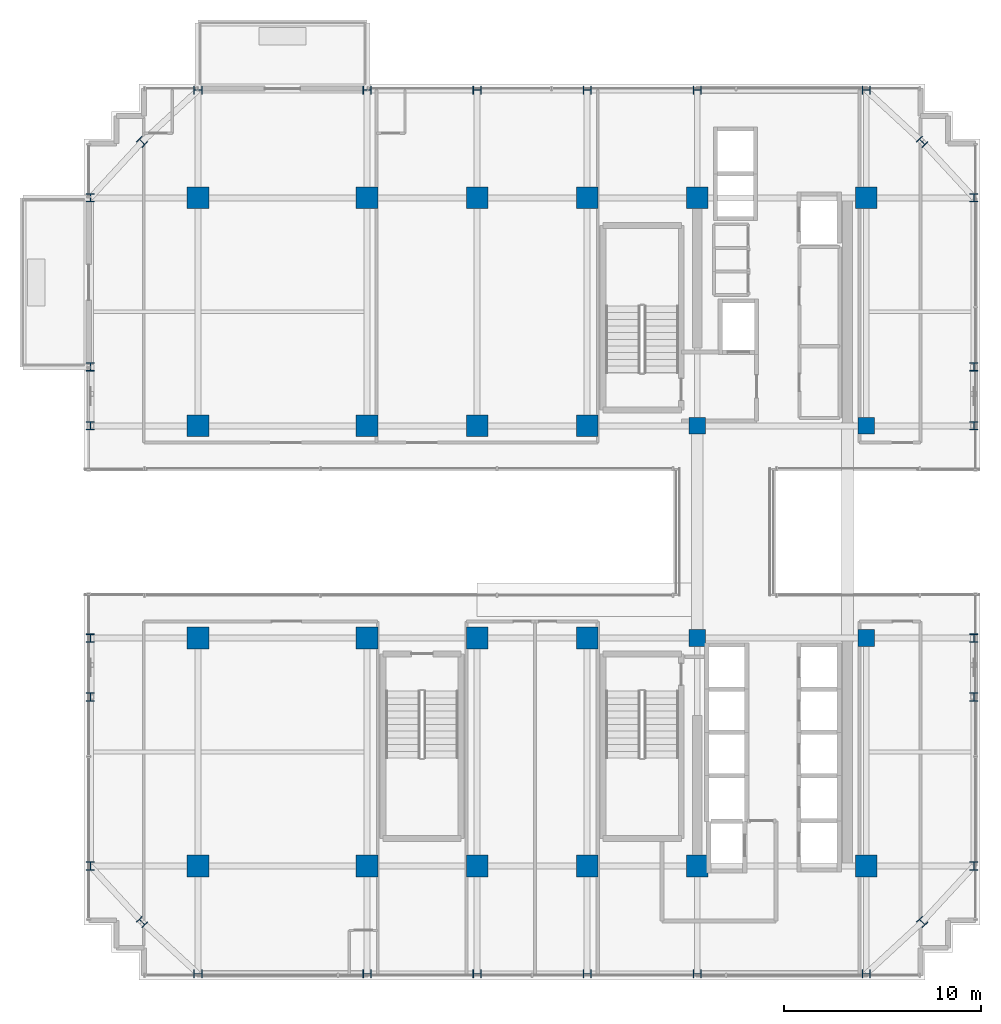
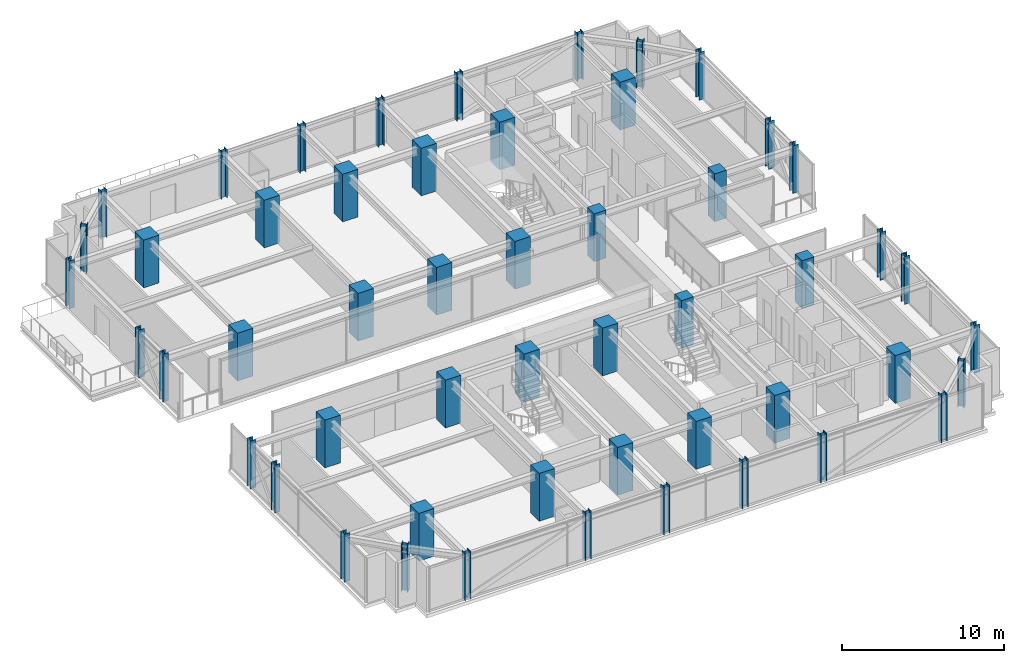
# One storey, part 1 of 37: 52 columns.
"""IFC4 building model written with IfcOpenShell, lengths in metres."""

from ifc_helpers import new_model, si_unit, direction, frame, origin, origin_2d, place, context, subcontext, project, spatial, rectangle, i_section, extrude, source, transform, mapped, material, material_profile, profile_set, type_object, element, save


model = new_model("IFC4")

# Units and contexts
model_context = context("Model", 3, precision=1e-05, world=origin(), true_north=direction((0.0, 1.0)))
body_context = subcontext(model_context, "Body", "Model", "MODEL_VIEW")
ifc_project = project(units=[si_unit("LENGTHUNIT", "METRE"), si_unit("AREAUNIT", "SQUARE_METRE"), si_unit("VOLUMEUNIT", "CUBIC_METRE"), si_unit("PLANEANGLEUNIT", "RADIAN"), si_unit("MASSUNIT", "GRAM", prefix="KILO")], contexts=[model_context])

# Site, building, storey
site_placement = place(None, origin())
site = spatial("IfcSite", under=ifc_project, at=site_placement, CompositionType="ELEMENT")
building_placement = place(site_placement, origin())
building = spatial("IfcBuilding", under=site, at=building_placement, Name="Nahalor Promenade Grand Hotel", CompositionType="ELEMENT")
storey_placement = place(building_placement, frame((0.0, 0.0, 167.25)))
storey = spatial("IfcBuildingStorey", under=building, at=storey_placement, Name="L42", CompositionType="ELEMENT", Elevation=167.25)

# Columns
ifc_material_1 = material(Name="Concrete B-70 (C60/75)", Category="concrete")
ifc_material_profile_1 = material_profile(ifc_material_1, rectangle(XDim=0.85, YDim=0.85, at=origin_2d()), Name="RC 850x850")
ifc_profile_set_1 = profile_set([ifc_material_profile_1], Name="Concrete B-70 (C60/75)")
column_type_1 = type_object("IfcColumnType", Name="Col-Pilaster-850", PredefinedType="PILASTER", material=ifc_profile_set_1)
shared_shape_1 = source(origin(), body_context, "Body", "SweptSolid", [
    extrude(rectangle(XDim=0.85, YDim=0.85, at=origin_2d()), origin(), (0.0, 0.0, 1.0), 3.60498046875),
])
for number, where, z_axis, x_axis, name in (
    (1, (8.39990234375, -5.39990234375, 0.0), (0.0, 0.0, 1.0), (1.0, 0.0, 0.0), "COL-L42-I41"),
    (2, (8.39990234375, 5.39990234375, 0.0), (0.0, 0.0, 1.0), (1.0, 0.0, 0.0), "COL-L42-I42"),
    (3, (17.0, -5.39990234375, 0.0), (0.0, 0.0, 1.0), (1.0, 0.0, 0.0), "COL-L42-I51"),
    (4, (17.0, 5.39990234375, 0.0), (0.0, 0.0, 1.0), (1.0, 0.0, 0.0), "COL-L42-I52"),
):
    element("IfcColumn", number, at=place(storey_placement, frame(where, z_axis=z_axis, x_axis=x_axis)), inside=storey, type_object=column_type_1, Name=name, PredefinedType="PILASTER", context=body_context, shape_type="MappedRepresentation", body=[
        mapped(shared_shape_1, transform((0.0, 0.0, 0.0), scale=1.0)),
    ])
ifc_material_2 = material(Name="Concrete B-60 (C50/60)", Category="concrete")
ifc_material_profile_2 = material_profile(ifc_material_2, rectangle(XDim=1.1, YDim=1.1, at=origin_2d()), Name="RC 1100x1100")
ifc_profile_set_2 = profile_set([ifc_material_profile_2], Name="Concrete B-60 (C50/60)")
column_type_2 = type_object("IfcColumnType", Name="Col-RC-1100", PredefinedType="COLUMN", material=ifc_profile_set_2)
shared_shape_2 = source(origin(), body_context, "Body", "SweptSolid", [
    extrude(rectangle(XDim=1.1, YDim=1.1, at=origin_2d()), origin(), (0.0, 0.0, 1.0), 3.60498046875),
])
for number, where, z_axis, x_axis, name in (
    (5, (-17.0, -17.0, 0.0), (0.0, 0.0, 1.0), (1.0, 0.0, 0.0), "COL-L42-I00"),
    (6, (-17.0, -5.39990234375, 0.0), (0.0, 0.0, 1.0), (1.0, 0.0, 0.0), "COL-L42-I01"),
    (7, (-17.0, 5.39990234375, 0.0), (0.0, 0.0, 1.0), (1.0, 0.0, 0.0), "COL-L42-I02"),
    (8, (-17.0, 17.0, 0.0), (0.0, 0.0, 1.0), (1.0, 0.0, 0.0), "COL-L42-I03"),
    (9, (-8.39990234375, -17.0, 0.0), (0.0, 0.0, 1.0), (1.0, 0.0, 0.0), "COL-L42-I10"),
    (10, (-8.39990234375, -5.39990234375, 0.0), (0.0, 0.0, 1.0), (1.0, 0.0, 0.0), "COL-L42-I11"),
    (11, (-8.39990234375, 5.39990234375, 0.0), (0.0, 0.0, 1.0), (1.0, 0.0, 0.0), "COL-L42-I12"),
    (12, (-8.39990234375, 17.0, 0.0), (0.0, 0.0, 1.0), (1.0, 0.0, 0.0), "COL-L42-I13"),
    (13, (-2.800048828125, -17.0, 0.0), (0.0, 0.0, 1.0), (1.0, 0.0, 0.0), "COL-L42-I20"),
    (14, (-2.800048828125, -5.39990234375, 0.0), (0.0, 0.0, 1.0), (1.0, 0.0, 0.0), "COL-L42-I21"),
    (15, (-2.800048828125, 5.39990234375, 0.0), (0.0, 0.0, 1.0), (1.0, 0.0, 0.0), "COL-L42-I22"),
    (16, (-2.800048828125, 17.0, 0.0), (0.0, 0.0, 1.0), (1.0, 0.0, 0.0), "COL-L42-I23"),
    (17, (2.800048828125, -17.0, 0.0), (0.0, 0.0, 1.0), (1.0, 0.0, 0.0), "COL-L42-I30"),
    (18, (2.800048828125, -5.39990234375, 0.0), (0.0, 0.0, 1.0), (1.0, 0.0, 0.0), "COL-L42-I31"),
    (19, (2.800048828125, 5.39990234375, 0.0), (0.0, 0.0, 1.0), (1.0, 0.0, 0.0), "COL-L42-I32"),
    (20, (2.800048828125, 17.0, 0.0), (0.0, 0.0, 1.0), (1.0, 0.0, 0.0), "COL-L42-I33"),
    (21, (8.39990234375, -17.0, 0.0), (0.0, 0.0, 1.0), (1.0, 0.0, 0.0), "COL-L42-I40"),
    (22, (8.39990234375, 17.0, 0.0), (0.0, 0.0, 1.0), (1.0, 0.0, 0.0), "COL-L42-I43"),
    (23, (17.0, -17.0, 0.0), (0.0, 0.0, 1.0), (1.0, 0.0, 0.0), "COL-L42-I50"),
    (24, (17.0, 17.0, 0.0), (0.0, 0.0, 1.0), (1.0, 0.0, 0.0), "COL-L42-I53"),
):
    element("IfcColumn", number, at=place(storey_placement, frame(where, z_axis=z_axis, x_axis=x_axis)), inside=storey, type_object=column_type_2, Name=name, PredefinedType="COLUMN", context=body_context, shape_type="MappedRepresentation", body=[
        mapped(shared_shape_2, transform((0.0, 0.0, 0.0), scale=1.0)),
    ])
ifc_material_3 = material(Name="Steel S355J2", Category="steel")
ifc_material_profile_3 = material_profile(ifc_material_3, i_section(OverallWidth=0.406, OverallDepth=0.422, WebThickness=0.019, FlangeThickness=0.0305, at=origin_2d()), Name="HD 400x382")
ifc_profile_set_3 = profile_set([ifc_material_profile_3], Name="Steel S355J2")
column_type_3 = type_object("IfcColumnType", Name="Col-Steel-HD382", PredefinedType="COLUMN", material=ifc_profile_set_3)
shared_shape_3 = source(origin(), body_context, "Body", "SweptSolid", [
    extrude(i_section(OverallWidth=0.406, OverallDepth=0.422, WebThickness=0.019, FlangeThickness=0.0305, at=origin_2d()), origin(), (0.0, 0.0, 1.0), 3.60498046875),
])
for number, where, z_axis, x_axis, name in (
    (25, (-22.47998046875, -17.0, 0.0), (0.0, 0.0, 1.0), (1.0, 0.0, 0.0), "COL-L42-PW-W0"),
    (26, (22.47998046875, -17.0, 0.0), (0.0, 0.0, 1.0), (1.0, 0.0, 0.0), "COL-L42-PW-E0"),
    (27, (-22.47998046875, -8.39990234375, 0.0), (0.0, 0.0, 1.0), (1.0, 0.0, 0.0), "COL-L42-PW-W1"),
    (28, (22.47998046875, -8.39990234375, 0.0), (0.0, 0.0, 1.0), (1.0, 0.0, 0.0), "COL-L42-PW-E1"),
    (29, (-22.47998046875, -5.39990234375, 0.0), (0.0, 0.0, 1.0), (1.0, 0.0, 0.0), "COL-L42-PW-W2"),
    (30, (22.47998046875, -5.39990234375, 0.0), (0.0, 0.0, 1.0), (1.0, 0.0, 0.0), "COL-L42-PW-E2"),
    (31, (-22.47998046875, 5.39990234375, 0.0), (0.0, 0.0, 1.0), (1.0, 0.0, 0.0), "COL-L42-PW-W3"),
    (32, (22.47998046875, 5.39990234375, 0.0), (0.0, 0.0, 1.0), (1.0, 0.0, 0.0), "COL-L42-PW-E3"),
    (33, (-22.47998046875, 8.39990234375, 0.0), (0.0, 0.0, 1.0), (1.0, 0.0, 0.0), "COL-L42-PW-W4"),
    (34, (22.47998046875, 8.39990234375, 0.0), (0.0, 0.0, 1.0), (1.0, 0.0, 0.0), "COL-L42-PW-E4"),
    (35, (-22.47998046875, 17.0, 0.0), (0.0, 0.0, 1.0), (1.0, 0.0, 0.0), "COL-L42-PW-W5"),
    (36, (22.47998046875, 17.0, 0.0), (0.0, 0.0, 1.0), (1.0, 0.0, 0.0), "COL-L42-PW-E5"),
    (37, (-17.0, -22.47998046875, 0.0), (0.0, 0.0, 1.0), (0.0, 1.0, 0.0), "COL-L42-PN-S0"),
    (38, (-17.0, 22.47998046875, 0.0), (0.0, 0.0, 1.0), (0.0, 1.0, 0.0), "COL-L42-PN-N0"),
    (39, (-8.39990234375, -22.47998046875, 0.0), (0.0, 0.0, 1.0), (0.0, 1.0, 0.0), "COL-L42-PN-S1"),
    (40, (-8.39990234375, 22.47998046875, 0.0), (0.0, 0.0, 1.0), (0.0, 1.0, 0.0), "COL-L42-PN-N1"),
    (41, (-2.800048828125, -22.47998046875, 0.0), (0.0, 0.0, 1.0), (0.0, 1.0, 0.0), "COL-L42-PN-S2"),
    (42, (-2.800048828125, 22.47998046875, 0.0), (0.0, 0.0, 1.0), (0.0, 1.0, 0.0), "COL-L42-PN-N2"),
    (43, (2.800048828125, -22.47998046875, 0.0), (0.0, 0.0, 1.0), (0.0, 1.0, 0.0), "COL-L42-PN-S3"),
    (44, (2.800048828125, 22.47998046875, 0.0), (0.0, 0.0, 1.0), (0.0, 1.0, 0.0), "COL-L42-PN-N3"),
    (45, (8.39990234375, -22.47998046875, 0.0), (0.0, 0.0, 1.0), (0.0, 1.0, 0.0), "COL-L42-PN-S4"),
    (46, (8.39990234375, 22.47998046875, 0.0), (0.0, 0.0, 1.0), (0.0, 1.0, 0.0), "COL-L42-PN-N4"),
    (47, (17.0, -22.47998046875, 0.0), (0.0, 0.0, 1.0), (0.0, 1.0, 0.0), "COL-L42-PN-S5"),
    (48, (17.0, 22.47998046875, 0.0), (0.0, 0.0, 1.0), (0.0, 1.0, 0.0), "COL-L42-PN-N5"),
    (49, (-19.85009765625, -19.85009765625, 0.0), (0.0, 0.0, 1.0), (0.707106781187, 0.707106781187, 0.0), "COL-L42-CRN-SW"),
    (50, (-19.85009765625, 19.85009765625, 0.0), (0.0, 0.0, 1.0), (0.707106781187, 0.707106781187, 0.0), "COL-L42-CRN-NW"),
    (51, (19.85009765625, -19.85009765625, 0.0), (0.0, 0.0, 1.0), (0.707106781187, 0.707106781187, 0.0), "COL-L42-CRN-SE"),
    (52, (19.85009765625, 19.85009765625, 0.0), (0.0, 0.0, 1.0), (0.707106781187, 0.707106781187, 0.0), "COL-L42-CRN-NE"),
):
    element("IfcColumn", number, at=place(storey_placement, frame(where, z_axis=z_axis, x_axis=x_axis)), inside=storey, type_object=column_type_3, Name=name, PredefinedType="COLUMN", context=body_context, shape_type="MappedRepresentation", body=[
        mapped(shared_shape_3, transform((0.0, 0.0, 0.0), scale=1.0)),
    ])

save(model, "model.ifc")
